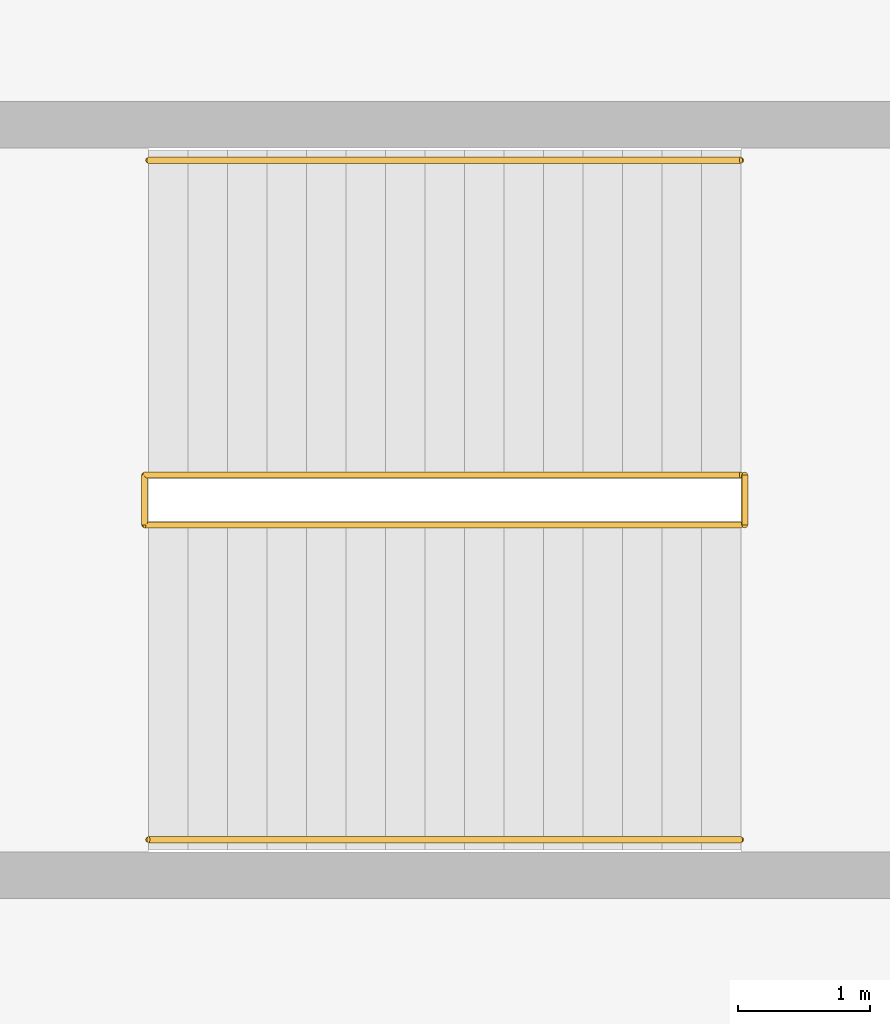
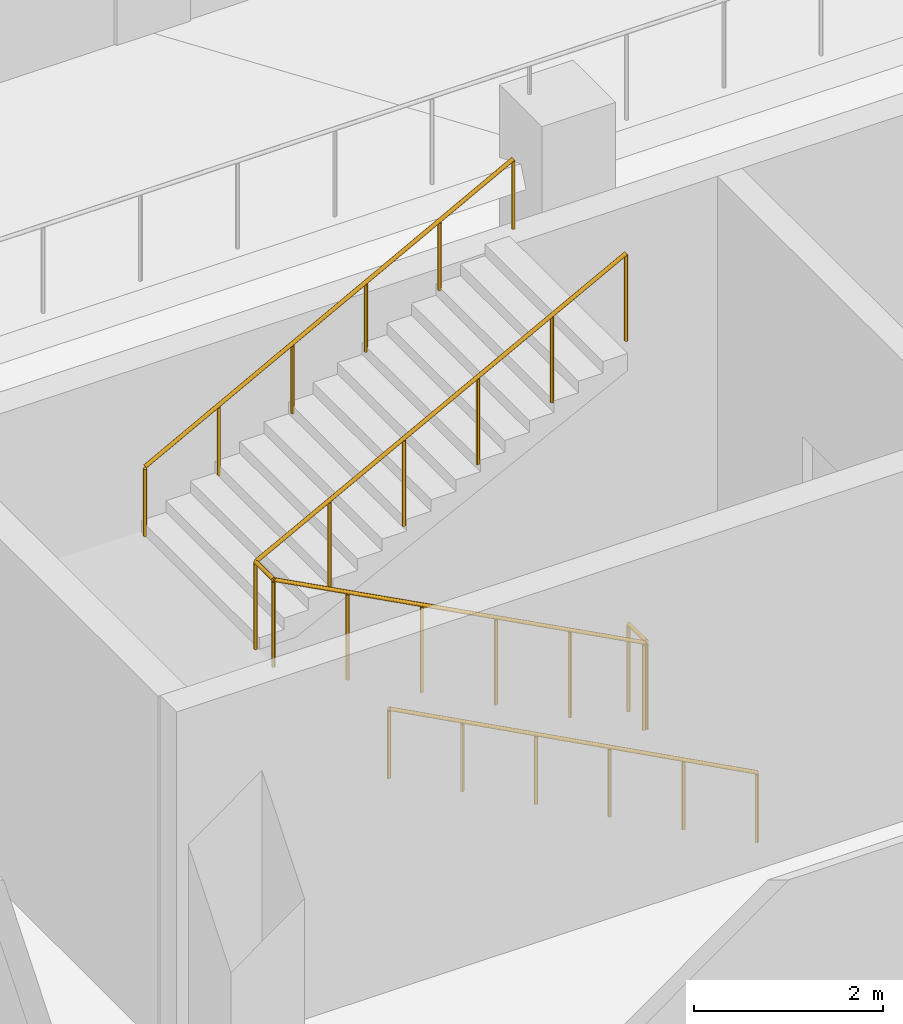
# One storey, part 79 of 100: 4 railings.
"""IFC4 building model written with IfcOpenShell, lengths in metres."""

from ifc_helpers import new_model, si_unit, direction, frame, origin, origin_2d, place, context, subcontext, project, spatial, circle, extrude, material, type_object, element, save


model = new_model("IFC4")

# Units and contexts
model_context = context("Model", 3, precision=1e-05, world=origin(), true_north=direction((0.0, 1.0)))
body_context = subcontext(model_context, "Body", "Model", "MODEL_VIEW")
ifc_project = project(units=[si_unit("LENGTHUNIT", "METRE"), si_unit("AREAUNIT", "SQUARE_METRE"), si_unit("VOLUMEUNIT", "CUBIC_METRE"), si_unit("PLANEANGLEUNIT", "RADIAN"), si_unit("MASSUNIT", "GRAM", prefix="KILO"), si_unit("THERMODYNAMICTEMPERATUREUNIT", "KELVIN"), si_unit("POWERUNIT", "WATT")], contexts=[model_context])

# Site, building, storey
site_placement = place(None, origin())
site = spatial("IfcSite", under=ifc_project, at=site_placement, CompositionType="ELEMENT")
building_placement = place(site_placement, origin())
building = spatial("IfcBuilding", under=site, at=building_placement, Name="Sindhuravela Promenade Stadium", CompositionType="ELEMENT")
storey_placement = place(building_placement, frame((0.0, 0.0, 4.800048828125)))
storey = spatial("IfcBuildingStorey", under=building, at=storey_placement, Name="L01", CompositionType="ELEMENT", Elevation=4.800048828125)

# Railings
ifc_material = material(Name="Architectural wrought steel E350", Category="steel")
railing_type_1 = type_object("IfcRailingType", Name="RL-GRD-1150", PredefinedType="GUARDRAIL", material=ifc_material)
railing_1_placement = place(storey_placement, frame((70.35009765625, 22.31005859375, 0.0)))
element("IfcRailing", 1, at=railing_1_placement, inside=storey, type_object=railing_type_1, Name="Stair ST11 inner well guard (L01)", PredefinedType="GUARDRAIL", context=body_context, shape_type="SweptSolid", body=[
    extrude(circle(Radius=0.02392578125, at=origin_2d()), frame((0.0, 0.0, 1.1259765625), z_axis=(-0.8836546633431795, 0.0, 0.46813933390802775), x_axis=(0.0, -1.0, 0.0)), (0.0, 0.0, 1.0), 5.12646484375),
    extrude(circle(Radius=0.02392578125, at=origin_2d()), frame((-4.530029296875, 0.0, 3.52587890625), z_axis=(0.0, 1.0, 0.0), x_axis=(-1.0, 0.0, 0.0)), (0.0, 0.0, 1.0), 0.3798828125),
    extrude(circle(Radius=0.02392578125, at=origin_2d()), frame((-4.530029296875, 0.3798828125, 3.52587890625), z_axis=(0.8836349624059475, 0.0, 0.46817651928929505), x_axis=(0.0, 1.0, 0.0)), (0.0, 0.0, 1.0), 5.12646484375),
    extrude(circle(Radius=0.02099609375, at=origin_2d()), origin(), (0.0, 0.0, 1.0), 1.101806640625),
    extrude(circle(Radius=0.02099609375, at=origin_2d()), frame((-0.906005859375, 0.0, 0.47998046875)), (0.0, 0.0, 1.0), 1.101806640625),
    extrude(circle(Radius=0.02099609375, at=origin_2d()), frame((-1.81201171875, 0.0, 0.9599609375)), (0.0, 0.0, 1.0), 1.101806640625),
    extrude(circle(Radius=0.02099609375, at=origin_2d()), frame((-2.718017578125, 0.0, 1.43994140625)), (0.0, 0.0, 1.0), 1.101806640625),
    extrude(circle(Radius=0.02099609375, at=origin_2d()), frame((-3.6240234375, 0.0, 1.919921875)), (0.0, 0.0, 1.0), 1.101806640625),
    extrude(circle(Radius=0.02099609375, at=origin_2d()), frame((-4.530029296875, 0.0, 2.39990234375)), (0.0, 0.0, 1.0), 1.101806640625),
    extrude(circle(Radius=0.02099609375, at=origin_2d()), frame((-4.530029296875, 0.3798828125, 2.39990234375)), (0.0, 0.0, 1.0), 1.101806640625),
    extrude(circle(Radius=0.02099609375, at=origin_2d()), frame((-3.6240234375, 0.3798828125, 2.8798828125)), (0.0, 0.0, 1.0), 1.101806640625),
    extrude(circle(Radius=0.02099609375, at=origin_2d()), frame((-2.718017578125, 0.3798828125, 3.35986328125)), (0.0, 0.0, 1.0), 1.101806640625),
    extrude(circle(Radius=0.02099609375, at=origin_2d()), frame((-1.81201171875, 0.3798828125, 3.840087890625)), (0.0, 0.0, 1.0), 1.101806640625),
    extrude(circle(Radius=0.02099609375, at=origin_2d()), frame((-0.906005859375, 0.3798828125, 4.320068359375)), (0.0, 0.0, 1.0), 1.101806640625),
    extrude(circle(Radius=0.02099609375, at=origin_2d()), frame((0.0, 0.3798828125, 4.800048828125)), (0.0, 0.0, 1.0), 1.101806640625),
])
railing_2_placement = place(storey_placement, frame((70.3798828125, 22.31005859375, 0.0)))
element("IfcRailing", 2, at=railing_2_placement, inside=storey, type_object=railing_type_1, Name="Stair ST11 landing well slot guard (L01)", PredefinedType="GUARDRAIL", context=body_context, shape_type="SweptSolid", body=[
    extrude(circle(Radius=0.02392578125, at=origin_2d()), frame((0.0, 0.0, 1.1259765625), z_axis=(0.0, 1.0, 0.0), x_axis=(-1.0, 0.0, 0.0)), (0.0, 0.0, 1.0), 0.3798828125),
    extrude(circle(Radius=0.02099609375, at=origin_2d()), origin(), (0.0, 0.0, 1.0), 1.101806640625),
    extrude(circle(Radius=0.02099609375, at=origin_2d()), frame((0.0, 0.3798828125, 0.0)), (0.0, 0.0, 1.0), 1.101806640625),
])
railing_type_2 = type_object("IfcRailingType", Name="RL-HND-920", PredefinedType="HANDRAIL", material=ifc_material)
railing_3_placement = place(storey_placement, frame((70.35009765625, 19.919921875, 0.0)))
element("IfcRailing", 3, at=railing_3_placement, inside=storey, type_object=railing_type_2, Name="Stair ST11 lower wall handrail (L01)", PredefinedType="HANDRAIL", context=body_context, shape_type="SweptSolid", body=[
    extrude(circle(Radius=0.02392578125, at=origin_2d()), frame((0.0, 0.0, 0.89599609375), z_axis=(-0.8823608919668723, 0.0, 0.4705733272588083), x_axis=(0.0, -1.0, 0.0)), (0.0, 0.0, 1.0), 5.099853515625),
    extrude(circle(Radius=0.02099609375, at=origin_2d()), origin(), (0.0, 0.0, 1.0), 0.871826171875),
    extrude(circle(Radius=0.02099609375, at=origin_2d()), frame((-0.89990234375, 0.0, 0.47998046875)), (0.0, 0.0, 1.0), 0.871826171875),
    extrude(circle(Radius=0.02099609375, at=origin_2d()), frame((-1.800048828125, 0.0, 0.9599609375)), (0.0, 0.0, 1.0), 0.871826171875),
    extrude(circle(Radius=0.02099609375, at=origin_2d()), frame((-2.699951171875, 0.0, 1.43994140625)), (0.0, 0.0, 1.0), 0.871826171875),
    extrude(circle(Radius=0.02099609375, at=origin_2d()), frame((-3.60009765625, 0.0, 1.919921875)), (0.0, 0.0, 1.0), 0.871826171875),
    extrude(circle(Radius=0.02099609375, at=origin_2d()), frame((-4.5, 0.0, 2.39990234375)), (0.0, 0.0, 1.0), 0.871826171875),
])
railing_4_placement = place(storey_placement, frame((65.85009765625, 25.080078125, 2.39990234375)))
element("IfcRailing", 4, at=railing_4_placement, inside=storey, type_object=railing_type_2, Name="Stair ST11 upper wall handrail (L01)", PredefinedType="HANDRAIL", context=body_context, shape_type="SweptSolid", body=[
    extrude(circle(Radius=0.02392578125, at=origin_2d()), frame((0.0, 0.0, 0.89599609375), z_axis=(0.8823410147872734, 0.0, 0.47061059659145427), x_axis=(0.0, 1.0, 0.0)), (0.0, 0.0, 1.0), 5.10009765625),
    extrude(circle(Radius=0.02099609375, at=origin_2d()), origin(), (0.0, 0.0, 1.0), 0.871826171875),
    extrude(circle(Radius=0.02099609375, at=origin_2d()), frame((0.89990234375, 0.0, 0.47998046875)), (0.0, 0.0, 1.0), 0.871826171875),
    extrude(circle(Radius=0.02099609375, at=origin_2d()), frame((1.800048828125, 0.0, 0.9599609375)), (0.0, 0.0, 1.0), 0.871826171875),
    extrude(circle(Radius=0.02099609375, at=origin_2d()), frame((2.699951171875, 0.0, 1.440185546875)), (0.0, 0.0, 1.0), 0.871826171875),
    extrude(circle(Radius=0.02099609375, at=origin_2d()), frame((3.60009765625, 0.0, 1.920166015625)), (0.0, 0.0, 1.0), 0.871826171875),
    extrude(circle(Radius=0.02099609375, at=origin_2d()), frame((4.5, 0.0, 2.400146484375)), (0.0, 0.0, 1.0), 0.871826171875),
])

save(model, "model.ifc")
